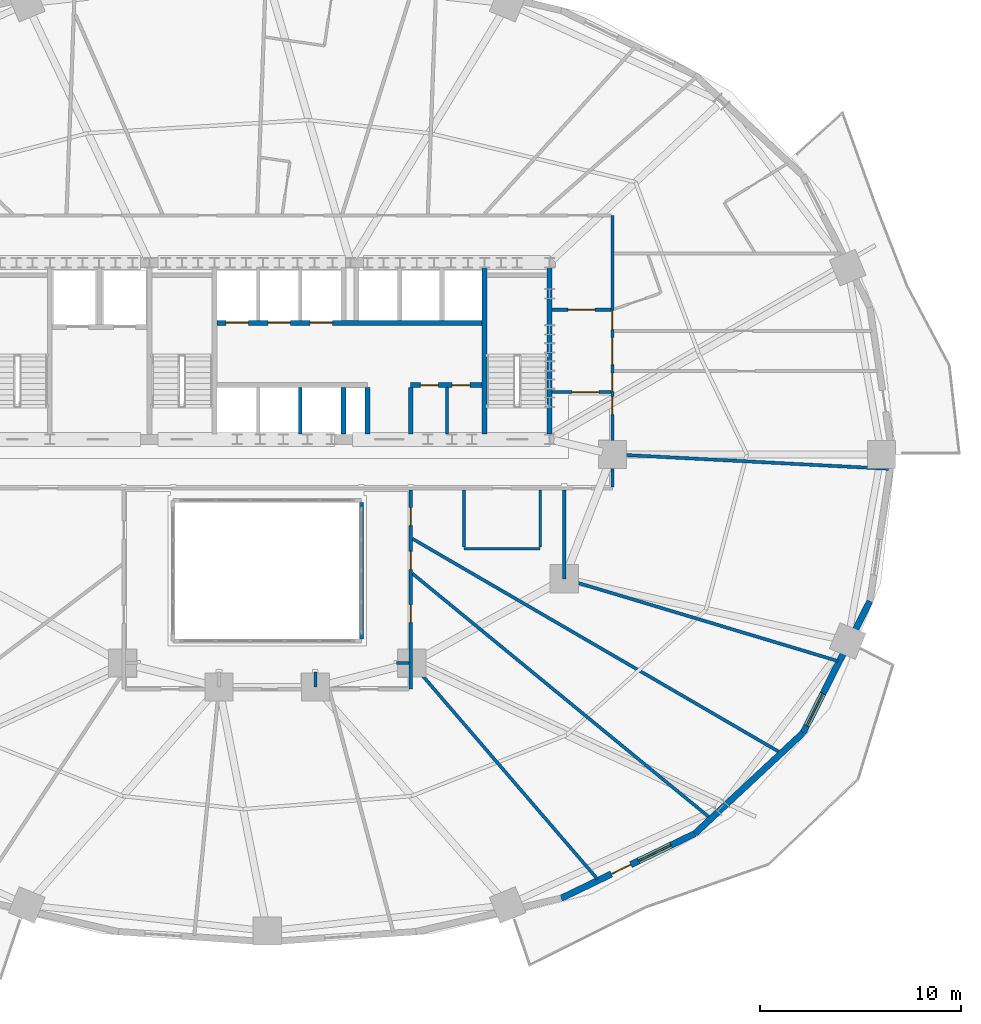
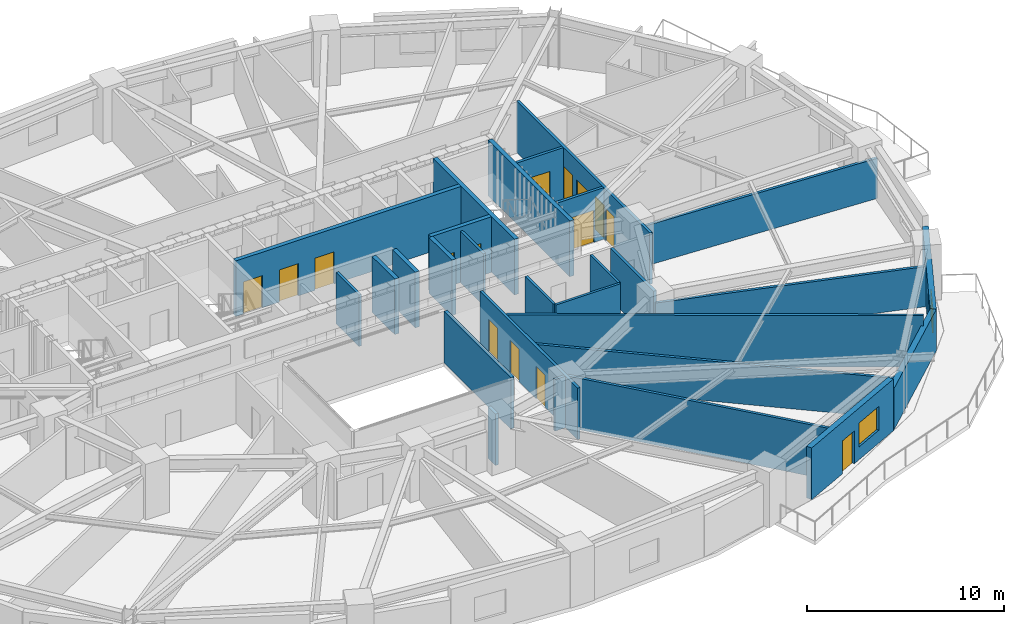
# One storey, part 11 of 17: 28 walls, 15 doors, 2 windows, 17 openings.
"""IFC4 building model written with IfcOpenShell, lengths in metres."""

from ifc_helpers import new_model, si_unit, direction, frame, frame_2d, origin, place, context, subcontext, project, spatial, rectangle, extrude, material, layer, layer_set, type_object, element, fill, save


model = new_model("IFC4")

# Units and contexts
model_context = context("Model", 3, precision=1e-05, world=origin(), true_north=direction((0.0, 1.0)))
body_context = subcontext(model_context, "Body", "Model", "MODEL_VIEW")
ifc_project = project(units=[si_unit("LENGTHUNIT", "METRE"), si_unit("AREAUNIT", "SQUARE_METRE"), si_unit("VOLUMEUNIT", "CUBIC_METRE"), si_unit("PLANEANGLEUNIT", "RADIAN"), si_unit("MASSUNIT", "GRAM", prefix="KILO")], contexts=[model_context])

# Site, building, storey
site_placement = place(None, origin())
site = spatial("IfcSite", under=ifc_project, at=site_placement, CompositionType="ELEMENT")
building_placement = place(site_placement, origin())
building = spatial("IfcBuilding", under=site, at=building_placement, Name="Haldorwick Loom Tower", CompositionType="ELEMENT")
storey_placement = place(building_placement, frame((0.0, 0.0, 44.699951171875)))
storey = spatial("IfcBuildingStorey", under=building, at=storey_placement, Name="L11", CompositionType="ELEMENT", Elevation=44.699951171875)

# Wall, openings, door, window
ifc_material_1 = material(Name="Pressed Clay Face Brick and Insulated Masonry Backup Assembly", Category="masonry")
ifc_layer_1 = layer(ifc_material_1, 0.320068359375, Name="Pressed Clay Face Brick and Insulated Masonry Backup Assembly", Category="masonry")
ifc_layer_set_1 = layer_set([ifc_layer_1], Name="Pressed Clay Face Brick and Insulated Masonry Backup Assembly")
wall_type_1 = type_object("IfcWallType", Name="ARC-WL-EXT320", PredefinedType="STANDARD", material=ifc_layer_set_1)
wall_1_placement = place(storey_placement, frame((50.644775390625, 3.88427734375, 0.0), z_axis=(0.0, 0.0, 1.0), x_axis=(0.900295710431, 0.435278800057, 0.0)))
wall_1 = element("IfcWall", 1, at=wall_1_placement, inside=storey, type_object=wall_type_1, Name="L11 Brick Pier and Spandrel Wall 21", PredefinedType="STANDARD", context=body_context, shape_type="SweptSolid", body=[
    extrude(rectangle(XDim=7.39697265625, YDim=0.320068359375, at=frame_2d((3.698486328125, 0.0))), origin(), (0.0, 0.0, 1.0), 3.2099609375),
])
opening_1_placement = place(wall_1_placement, frame((2.77783203125, 0.0, 0.0)))
opening_1 = element("IfcOpeningElement", 2, at=opening_1_placement, cuts=wall_1, Name="Opening D-BL11", PredefinedType="OPENING", context=body_context, shape_type="SweptSolid", body=[
    extrude(rectangle(XDim=1.080078125, YDim=2.0400390625, at=frame_2d((0.5400390625, 1.02001953125))), frame((0.0, 0.169921875, 0.0), z_axis=(0.0, -1.0, 0.0), x_axis=(1.0, 0.0, 0.0)), (0.0, 0.0, 1.0), 0.340087890625),
])
opening_2_placement = place(wall_1_placement, frame((4.27783203125, 0.0, 0.800048828125)))
opening_2 = element("IfcOpeningElement", 3, at=opening_2_placement, cuts=wall_1, Name="Opening W-01", PredefinedType="OPENING", context=body_context, shape_type="SweptSolid", body=[
    extrude(rectangle(XDim=1.800048828125, YDim=1.47998046875, at=frame_2d((0.89990234375, 0.739990234375))), frame((0.0, 0.169921875, 0.0), z_axis=(0.0, -1.0, 0.0), x_axis=(1.0, 0.0, 0.0)), (0.0, 0.0, 1.0), 0.340087890625),
])
ifc_material_2 = material(Name="Thermally Broken Anodized Aluminium Curtain Wall Framing", Category="aluminium")
door_type_1 = type_object("IfcDoorType", Name="ARC-DR-BAL110", OperationType="NOTDEFINED", PredefinedType="DOOR", material=ifc_material_2)
door_1_placement = place(opening_1_placement, origin())
door_1 = element("IfcDoor", 4, at=door_1_placement, inside=storey, type_object=door_type_1, Name="L11 Outdoor Terrace Door SLB-L11-BAL_SE", OperationType="SINGLE_SWING_LEFT", OverallHeight=2.0400390625, OverallWidth=1.080078125, PredefinedType="DOOR", context=body_context, shape_type="SweptSolid", body=[
    extrude(rectangle(XDim=1.080078125, YDim=2.0400390625, at=frame_2d((0.5400390625, 1.02001953125))), frame((0.0, 0.02490234375, 0.0), z_axis=(0.0, -1.0, 0.0), x_axis=(1.0, 0.0, 0.0)), (0.0, 0.0, 1.0), 0.050048828125),
])
fill(opening_1, door_1)
ifc_material_3 = material(Name="Triple-Glazed Low-E Argon Insulated Glazing Unit", Category="glass")
window_type = type_object("IfcWindowType", Name="ARC-WIN-W180", PartitioningType="SINGLE_PANEL", PredefinedType="WINDOW", material=ifc_material_3)
window_1_placement = place(opening_2_placement, origin())
window_1 = element("IfcWindow", 5, at=window_1_placement, inside=storey, type_object=window_type, Name="L11 Deep-Set Zone 7A Window 21", OverallHeight=1.47998046875, OverallWidth=1.800048828125, PartitioningType="SINGLE_PANEL", PredefinedType="WINDOW", context=body_context, shape_type="SweptSolid", body=[
    extrude(rectangle(XDim=1.800048828125, YDim=1.47998046875, at=frame_2d((0.89990234375, 0.739990234375))), frame((0.0, 0.030029296875, 0.0), z_axis=(0.0, -1.0, 0.0), x_axis=(1.0, 0.0, 0.0)), (0.0, 0.0, 1.0), 0.06005859375),
])
fill(opening_2, window_1)

# Wall
wall_2_placement = place(storey_placement, frame((57.30419921875, 7.10400390625, 0.0), z_axis=(0.0, 0.0, 1.0), x_axis=(0.73176101237, 0.681561311091, 0.0)))
element("IfcWall", 6, at=wall_2_placement, inside=storey, type_object=wall_type_1, Name="L11 Brick Pier and Spandrel Wall 22", PredefinedType="STANDARD", context=body_context, shape_type="SweptSolid", body=[
    extrude(rectangle(XDim=7.3583984375, YDim=0.320068359375, at=frame_2d((3.67919921875, 0.0))), origin(), (0.0, 0.0, 1.0), 2.569091796875),
])

# Wall, opening, window
wall_3_placement = place(storey_placement, frame((62.688720703125, 12.119140625, 0.0), z_axis=(0.0, 0.0, 1.0), x_axis=(0.452950855928, 0.891535485617, 0.0)))
wall_3 = element("IfcWall", 7, at=wall_3_placement, inside=storey, type_object=wall_type_1, Name="L11 Brick Pier and Spandrel Wall 23", PredefinedType="STANDARD", context=body_context, shape_type="SweptSolid", body=[
    extrude(rectangle(XDim=7.3583984375, YDim=0.320068359375, at=frame_2d((3.67919921875, 0.0))), origin(), (0.0, 0.0, 1.0), 2.569091796875),
])
opening_3_placement = place(wall_3_placement, frame((0.400146484375, 0.0, 0.800048828125)))
opening_3 = element("IfcOpeningElement", 8, at=opening_3_placement, cuts=wall_3, Name="Opening W-01", PredefinedType="OPENING", context=body_context, shape_type="SweptSolid", body=[
    extrude(rectangle(XDim=1.800048828125, YDim=1.47998046875, at=frame_2d((0.89990234375, 0.739990234375))), frame((0.0, 0.169921875, 0.0), z_axis=(0.0, -1.0, 0.0), x_axis=(1.0, 0.0, 0.0)), (0.0, 0.0, 1.0), 0.340087890625),
])
window_2_placement = place(opening_3_placement, origin())
window_2 = element("IfcWindow", 9, at=window_2_placement, inside=storey, type_object=window_type, Name="L11 Deep-Set Zone 7A Window 23", OverallHeight=1.47998046875, OverallWidth=1.800048828125, PartitioningType="SINGLE_PANEL", PredefinedType="WINDOW", context=body_context, shape_type="SweptSolid", body=[
    extrude(rectangle(XDim=1.800048828125, YDim=1.47998046875, at=frame_2d((0.89990234375, 0.739990234375))), frame((0.0, 0.030029296875, 0.0), z_axis=(0.0, -1.0, 0.0), x_axis=(1.0, 0.0, 0.0)), (0.0, 0.0, 1.0), 0.06005859375),
])
fill(opening_3, window_2)

# Wall, openings, doors
ifc_material_4 = material(Name="Fire-Rated Type X Gypsum Stud Assembly EI 60")
ifc_layer_2 = layer(ifc_material_4, 0.159912109375, Name="Fire-Rated Type X Gypsum Stud Assembly EI 60")
ifc_layer_set_2 = layer_set([ifc_layer_2], Name="Fire-Rated Type X Gypsum Stud Assembly EI 60")
wall_type_2 = type_object("IfcWallType", Name="ARC-WL-FIRE160", PredefinedType="PARTITIONING", material=ifc_layer_set_2)
wall_4_placement = place(storey_placement, frame((53.199951171875, 24.383056640625, 0.0), z_axis=(0.0, 0.0, 1.0), x_axis=(0.0, 1.0, 0.0)))
wall_4 = element("IfcWall", 10, at=wall_4_placement, inside=storey, type_object=wall_type_2, Name="L11 Residential Fire Partition L11-CR-E0", PredefinedType="PARTITIONING", context=body_context, shape_type="SweptSolid", body=[
    extrude(rectangle(XDim=13.516845703125, YDim=0.159912109375, at=frame_2d((6.75830078125, 0.0))), origin(), (0.0, 0.0, 1.0), 3.195068359375),
])
opening_4_placement = place(wall_4_placement, frame((6.08349609375, 0.0, 0.0)))
opening_4 = element("IfcOpeningElement", 11, at=opening_4_placement, cuts=wall_4, Name="Opening D-CR15", PredefinedType="OPENING", context=body_context, shape_type="SweptSolid", body=[
    extrude(rectangle(XDim=1.35009765625, YDim=2.0, at=frame_2d((0.675048828125, 1.0))), frame((0.0, 0.08984375, 0.0), z_axis=(0.0, -1.0, 0.0), x_axis=(1.0, 0.0, 0.0)), (0.0, 0.0, 1.0), 0.179931640625),
])
opening_5_placement = place(wall_4_placement, frame((3.5908203125, 0.0, 0.0)))
opening_5 = element("IfcOpeningElement", 12, at=opening_5_placement, cuts=wall_4, Name="Opening D-FD60A", PredefinedType="OPENING", context=body_context, shape_type="SweptSolid", body=[
    extrude(rectangle(XDim=0.89990234375, YDim=2.0, at=frame_2d((0.449951171875, 1.0))), frame((0.0, 0.08984375, 0.0), z_axis=(0.0, -1.0, 0.0), x_axis=(1.0, 0.0, 0.0)), (0.0, 0.0, 1.0), 0.179931640625),
])
opening_6_placement = place(wall_4_placement, frame((4.75732421875, 0.0, 0.0)))
opening_6 = element("IfcOpeningElement", 13, at=opening_6_placement, cuts=wall_4, Name="Opening D-FD60A", PredefinedType="OPENING", context=body_context, shape_type="SweptSolid", body=[
    extrude(rectangle(XDim=0.89990234375, YDim=2.0, at=frame_2d((0.449951171875, 1.0))), frame((0.0, 0.08984375, 0.0), z_axis=(0.0, -1.0, 0.0), x_axis=(1.0, 0.0, 0.0)), (0.0, 0.0, 1.0), 0.179931640625),
])
opening_7_placement = place(wall_4_placement, frame((7.834716796875, 0.0, 0.0)))
opening_7 = element("IfcOpeningElement", 14, at=opening_7_placement, cuts=wall_4, Name="Opening D-FL95", PredefinedType="OPENING", context=body_context, shape_type="SweptSolid", body=[
    extrude(rectangle(XDim=0.949951171875, YDim=2.0400390625, at=frame_2d((0.47509765625, 1.02001953125))), frame((0.0, 0.08984375, 0.0), z_axis=(0.0, -1.0, 0.0), x_axis=(1.0, 0.0, 0.0)), (0.0, 0.0, 1.0), 0.179931640625),
])
ifc_material_5 = material(Name="Thermally Broken Anodized Aluminium and Tempered Glass", Category="aluminium")
door_type_2 = type_object("IfcDoorType", Name="ARC-DR-COR150", OperationType="NOTDEFINED", PredefinedType="DOOR", material=ifc_material_5)
door_2_placement = place(opening_4_placement, origin())
door_2 = element("IfcDoor", 15, at=door_2_placement, inside=storey, type_object=door_type_2, Name="L11 L11 East Residential Corridor to L11 East Daylight Corridor Door", OperationType="DOUBLE_DOOR_SINGLE_SWING", OverallHeight=2.0, OverallWidth=1.35009765625, PredefinedType="DOOR", context=body_context, shape_type="SweptSolid", body=[
    extrude(rectangle(XDim=1.35009765625, YDim=2.0, at=frame_2d((0.675048828125, 1.0))), frame((0.0, 0.02490234375, 0.0), z_axis=(0.0, -1.0, 0.0), x_axis=(1.0, 0.0, 0.0)), (0.0, 0.0, 1.0), 0.050048828125),
])
fill(opening_4, door_2)
ifc_material_6 = material(Name="Hollow Steel Fire Door Assembly", Category="steel")
door_type_3 = type_object("IfcDoorType", Name="ARC-DR-FD60-90", OperationType="NOTDEFINED", PredefinedType="DOOR", material=ifc_material_6)
door_3_placement = place(opening_5_placement, origin())
door_3 = element("IfcDoor", 16, at=door_3_placement, inside=storey, type_object=door_type_3, Name="L11 L11 Central Residential Corridor to Tenant Seminar Room 2 Door", OperationType="SINGLE_SWING_LEFT", OverallHeight=2.0, OverallWidth=0.89990234375, PredefinedType="DOOR", context=body_context, shape_type="SweptSolid", body=[
    extrude(rectangle(XDim=0.89990234375, YDim=2.0, at=frame_2d((0.449951171875, 1.0))), frame((0.0, 0.02490234375, 0.0), z_axis=(0.0, -1.0, 0.0), x_axis=(1.0, 0.0, 0.0)), (0.0, 0.0, 1.0), 0.050048828125),
])
fill(opening_5, door_3)
door_4_placement = place(opening_6_placement, origin())
door_4 = element("IfcDoor", 17, at=door_4_placement, inside=storey, type_object=door_type_3, Name="L11 L11 East Residential Corridor to Tenant Seminar Room 2 Door", OperationType="SINGLE_SWING_LEFT", OverallHeight=2.0, OverallWidth=0.89990234375, PredefinedType="DOOR", context=body_context, shape_type="SweptSolid", body=[
    extrude(rectangle(XDim=0.89990234375, YDim=2.0, at=frame_2d((0.449951171875, 1.0))), frame((0.0, 0.02490234375, 0.0), z_axis=(0.0, -1.0, 0.0), x_axis=(1.0, 0.0, 0.0)), (0.0, 0.0, 1.0), 0.050048828125),
])
fill(opening_6, door_4)
ifc_material_7 = material(Name="Solid Core Birch Architectural Door")
door_type_4 = type_object("IfcDoorType", Name="ARC-DR-FLAT95", OperationType="NOTDEFINED", PredefinedType="DOOR", material=ifc_material_7)
door_5_placement = place(opening_7_placement, origin())
door_5 = element("IfcDoor", 18, at=door_5_placement, inside=storey, type_object=door_type_4, Name="L11 L11 East Residential Corridor to Unit 11C Kitchen and Studio Living ", OperationType="SINGLE_SWING_RIGHT", OverallHeight=2.0400390625, OverallWidth=0.949951171875, PredefinedType="DOOR", context=body_context, shape_type="SweptSolid", body=[
    extrude(rectangle(XDim=0.949951171875, YDim=2.0400390625, at=frame_2d((0.47509765625, 1.02001953125))), frame((0.0, 0.02490234375, 0.0), z_axis=(0.0, -1.0, 0.0), x_axis=(1.0, 0.0, 0.0)), (0.0, 0.0, 1.0), 0.050048828125),
])
fill(opening_7, door_5)

# Wall, opening, door
wall_5_placement = place(storey_placement, frame((50.193115234375, 29.10009765625, 0.0), z_axis=(0.0, 0.0, 1.0), x_axis=(1.0, 0.0, 0.0)))
wall_5 = element("IfcWall", 19, at=wall_5_placement, inside=storey, type_object=wall_type_2, Name="L11 Residential Fire Partition L11-CR-ESJ", PredefinedType="PARTITIONING", context=body_context, shape_type="SweptSolid", body=[
    extrude(rectangle(XDim=2.923828125, YDim=0.159912109375, at=frame_2d((1.4619140625, 0.0))), origin(), (0.0, 0.0, 1.0), 3.195068359375),
])
opening_8_placement = place(wall_5_placement, frame((0.99560546875, 0.0, 0.0)))
opening_8 = element("IfcOpeningElement", 20, at=opening_8_placement, cuts=wall_5, Name="Opening D-CR15", PredefinedType="OPENING", context=body_context, shape_type="SweptSolid", body=[
    extrude(rectangle(XDim=1.35009765625, YDim=2.0, at=frame_2d((0.675048828125, 1.0))), frame((0.0, 0.08984375, 0.0), z_axis=(0.0, -1.0, 0.0), x_axis=(1.0, 0.0, 0.0)), (0.0, 0.0, 1.0), 0.179931640625),
])
door_6_placement = place(opening_8_placement, origin())
door_6 = element("IfcDoor", 21, at=door_6_placement, inside=storey, type_object=door_type_2, Name="L11 L11 East Residential Corridor to L11 Central Residential Corridor Do", OperationType="DOUBLE_DOOR_SINGLE_SWING", OverallHeight=2.0, OverallWidth=1.35009765625, PredefinedType="DOOR", context=body_context, shape_type="SweptSolid", body=[
    extrude(rectangle(XDim=1.35009765625, YDim=2.0, at=frame_2d((0.675048828125, 1.0))), frame((0.0, 0.02490234375, 0.0), z_axis=(0.0, -1.0, 0.0), x_axis=(1.0, 0.0, 0.0)), (0.0, 0.0, 1.0), 0.050048828125),
])
fill(opening_8, door_6)

wall_6_placement = place(storey_placement, frame((50.193115234375, 33.199951171875, 0.0), z_axis=(0.0, 0.0, 1.0), x_axis=(1.0, 0.0, 0.0)))
wall_6 = element("IfcWall", 22, at=wall_6_placement, inside=storey, type_object=wall_type_2, Name="L11 Residential Fire Partition L11-CR-ENJ", PredefinedType="PARTITIONING", context=body_context, shape_type="SweptSolid", body=[
    extrude(rectangle(XDim=2.923828125, YDim=0.159912109375, at=frame_2d((1.4619140625, 0.0))), origin(), (0.0, 0.0, 1.0), 3.195068359375),
])
opening_9_placement = place(wall_6_placement, frame((0.787109375, 0.0, 0.0)))
opening_9 = element("IfcOpeningElement", 23, at=opening_9_placement, cuts=wall_6, Name="Opening D-CR15", PredefinedType="OPENING", context=body_context, shape_type="SweptSolid", body=[
    extrude(rectangle(XDim=1.35009765625, YDim=2.0, at=frame_2d((0.675048828125, 1.0))), frame((0.0, 0.08984375, 0.0), z_axis=(0.0, -1.0, 0.0), x_axis=(1.0, 0.0, 0.0)), (0.0, 0.0, 1.0), 0.179931640625),
])
door_7_placement = place(opening_9_placement, origin())
door_7 = element("IfcDoor", 24, at=door_7_placement, inside=storey, type_object=door_type_2, Name="L11 L11 North Residential Corridor to L11 East Residential Corridor Door", OperationType="DOUBLE_DOOR_SINGLE_SWING", OverallHeight=2.0, OverallWidth=1.35009765625, PredefinedType="DOOR", context=body_context, shape_type="SweptSolid", body=[
    extrude(rectangle(XDim=1.35009765625, YDim=2.0, at=frame_2d((0.675048828125, 1.0))), frame((0.0, 0.02490234375, 0.0), z_axis=(0.0, -1.0, 0.0), x_axis=(1.0, 0.0, 0.0)), (0.0, 0.0, 1.0), 0.050048828125),
])
fill(opening_9, door_7)

# Wall, openings, doors
wall_7_placement = place(storey_placement, frame((43.14990234375, 14.300048828125, 0.0), z_axis=(0.0, 0.0, 1.0), x_axis=(0.0, 1.0, 0.0)))
wall_7 = element("IfcWall", 25, at=wall_7_placement, inside=storey, type_object=wall_type_2, Name="L11 Residential Fire Partition L11-CR-AE", PredefinedType="PARTITIONING", context=body_context, shape_type="SweptSolid", body=[
    extrude(rectangle(XDim=9.9169921875, YDim=0.159912109375, at=frame_2d((4.95849609375, 0.0))), origin(), (0.0, 0.0, 1.0), 3.195068359375),
])
opening_10_placement = place(wall_7_placement, frame((3.3134765625, 0.0, 0.0)))
opening_10 = element("IfcOpeningElement", 26, at=opening_10_placement, cuts=wall_7, Name="Opening D-FD60A", PredefinedType="OPENING", context=body_context, shape_type="SweptSolid", body=[
    extrude(rectangle(XDim=0.89990234375, YDim=2.0, at=frame_2d((0.449951171875, 1.0))), frame((0.0, 0.08984375, 0.0), z_axis=(0.0, -1.0, 0.0), x_axis=(1.0, 0.0, 0.0)), (0.0, 0.0, 1.0), 0.179931640625),
])
opening_11_placement = place(wall_7_placement, frame((8.144775390625, 0.0, 0.0)))
opening_11 = element("IfcOpeningElement", 27, at=opening_11_placement, cuts=wall_7, Name="Opening D-FD60A", PredefinedType="OPENING", context=body_context, shape_type="SweptSolid", body=[
    extrude(rectangle(XDim=0.89990234375, YDim=2.0, at=frame_2d((0.449951171875, 1.0))), frame((0.0, 0.08984375, 0.0), z_axis=(0.0, -1.0, 0.0), x_axis=(1.0, 0.0, 0.0)), (0.0, 0.0, 1.0), 0.179931640625),
])
opening_12_placement = place(wall_7_placement, frame((5.962646484375, 0.0, 0.0)))
opening_12 = element("IfcOpeningElement", 28, at=opening_12_placement, cuts=wall_7, Name="Opening D-FD60A", PredefinedType="OPENING", context=body_context, shape_type="SweptSolid", body=[
    extrude(rectangle(XDim=0.89990234375, YDim=2.0, at=frame_2d((0.449951171875, 1.0))), frame((0.0, 0.08984375, 0.0), z_axis=(0.0, -1.0, 0.0), x_axis=(1.0, 0.0, 0.0)), (0.0, 0.0, 1.0), 0.179931640625),
])
door_8_placement = place(opening_10_placement, origin())
door_8 = element("IfcDoor", 29, at=door_8_placement, inside=storey, type_object=door_type_3, Name="L11 L11 South Atrium Corridor to Community Teaching Classroom 11 Door", OperationType="SINGLE_SWING_LEFT", OverallHeight=2.0, OverallWidth=0.89990234375, PredefinedType="DOOR", context=body_context, shape_type="SweptSolid", body=[
    extrude(rectangle(XDim=0.89990234375, YDim=2.0, at=frame_2d((0.449951171875, 1.0))), frame((0.0, 0.02490234375, 0.0), z_axis=(0.0, -1.0, 0.0), x_axis=(1.0, 0.0, 0.0)), (0.0, 0.0, 1.0), 0.050048828125),
])
fill(opening_10, door_8)
door_9_placement = place(opening_11_placement, origin())
door_9 = element("IfcDoor", 30, at=door_9_placement, inside=storey, type_object=door_type_3, Name="L11 L11 South Atrium Corridor to Tenant Meeting Room 1 Door", OperationType="SINGLE_SWING_LEFT", OverallHeight=2.0, OverallWidth=0.89990234375, PredefinedType="DOOR", context=body_context, shape_type="SweptSolid", body=[
    extrude(rectangle(XDim=0.89990234375, YDim=2.0, at=frame_2d((0.449951171875, 1.0))), frame((0.0, 0.02490234375, 0.0), z_axis=(0.0, -1.0, 0.0), x_axis=(1.0, 0.0, 0.0)), (0.0, 0.0, 1.0), 0.050048828125),
])
fill(opening_11, door_9)
door_10_placement = place(opening_12_placement, origin())
door_10 = element("IfcDoor", 31, at=door_10_placement, inside=storey, type_object=door_type_3, Name="L11 L11 South Atrium Corridor to Community Teaching Classroom 17 Door", OperationType="SINGLE_SWING_RIGHT", OverallHeight=2.0, OverallWidth=0.89990234375, PredefinedType="DOOR", context=body_context, shape_type="SweptSolid", body=[
    extrude(rectangle(XDim=0.89990234375, YDim=2.0, at=frame_2d((0.449951171875, 1.0))), frame((0.0, 0.02490234375, 0.0), z_axis=(0.0, -1.0, 0.0), x_axis=(1.0, 0.0, 0.0)), (0.0, 0.0, 1.0), 0.050048828125),
])
fill(opening_12, door_10)

# Walls
wall_8_placement = place(storey_placement, frame((53.282958984375, 25.99560546875, 0.0), z_axis=(0.0, 0.0, 1.0), x_axis=(0.998629572969, -0.052335227072, 0.0)))
element("IfcWall", 32, at=wall_8_placement, inside=storey, type_object=wall_type_2, Name="L11 Residential Fire Partition L11-ICR-01", PredefinedType="PARTITIONING", context=body_context, shape_type="SweptSolid", body=[
    extrude(rectangle(XDim=13.6962890625, YDim=0.159912109375, at=frame_2d((6.84814453125, 0.0))), origin(), (0.0, 0.0, 1.0), 2.489990234375),
])
wall_9_placement = place(storey_placement, frame((50.800048828125, 19.800048828125, 0.0), z_axis=(0.0, 0.0, 1.0), x_axis=(0.957673245776, -0.287857524351, 0.0)))
element("IfcWall", 33, at=wall_9_placement, inside=storey, type_object=wall_type_2, Name="L11 Residential Fire Partition L11-ICR-03", PredefinedType="PARTITIONING", context=body_context, shape_type="SweptSolid", body=[
    extrude(rectangle(XDim=14.238525390625, YDim=0.159912109375, at=frame_2d((7.119140625, 0.0))), origin(), (0.0, 0.0, 1.0), 2.489990234375),
])
wall_10_placement = place(storey_placement, frame((43.23291015625, 15.5615234375, 0.0), z_axis=(0.0, 0.0, 1.0), x_axis=(0.652038078605, -0.758186219902, 0.0)))
element("IfcWall", 34, at=wall_10_placement, inside=storey, type_object=wall_type_2, Name="L11 Residential Fire Partition L11-ICR-05", PredefinedType="PARTITIONING", context=body_context, shape_type="SweptSolid", body=[
    extrude(rectangle(XDim=14.149658203125, YDim=0.159912109375, at=frame_2d((7.07470703125, 0.0))), origin(), (0.0, 0.0, 1.0), 3.195068359375),
])
wall_11_placement = place(storey_placement, frame((50.800048828125, 24.217041015625, 0.0), z_axis=(0.0, 0.0, 1.0), x_axis=(0.0, -1.0, 0.0)))
element("IfcWall", 35, at=wall_11_placement, inside=storey, type_object=wall_type_2, Name="L11 Residential Fire Partition L11-ICA-02", PredefinedType="PARTITIONING", context=body_context, shape_type="SweptSolid", body=[
    extrude(rectangle(XDim=4.4169921875, YDim=0.159912109375, at=frame_2d((2.20849609375, 0.0))), origin(), (0.0, 0.0, 1.0), 3.195068359375),
])
wall_12_placement = place(storey_placement, frame((42.449951171875, 15.60009765625, 0.0), z_axis=(0.0, 0.0, 1.0), x_axis=(1.0, 0.0, 0.0)))
element("IfcWall", 36, at=wall_12_placement, inside=storey, type_object=wall_type_2, Name="L11 Residential Fire Partition L11-ICA-04", PredefinedType="PARTITIONING", context=body_context, shape_type="SweptSolid", body=[
    extrude(rectangle(XDim=0.616943359375, YDim=0.159912109375, at=frame_2d((0.30859375, 0.0))), origin(), (0.0, 0.0, 1.0), 3.195068359375),
])
wall_13_placement = place(storey_placement, frame((38.39990234375, 15.14990234375, 0.0), z_axis=(0.0, 0.0, 1.0), x_axis=(0.0, -1.0, 0.0)))
element("IfcWall", 37, at=wall_13_placement, inside=storey, type_object=wall_type_2, Name="L11 Residential Fire Partition L11-ICA-06", PredefinedType="PARTITIONING", context=body_context, shape_type="SweptSolid", body=[
    extrude(rectangle(XDim=0.75, YDim=0.159912109375, at=frame_2d((0.375, 0.0))), origin(), (0.0, 0.0, 1.0), 3.195068359375),
])
wall_14_placement = place(storey_placement, frame((43.23291015625, 21.796142578125, 0.0), z_axis=(0.0, 0.0, 1.0), x_axis=(0.864574362114, -0.502504897862, 0.0)))
element("IfcWall", 38, at=wall_14_placement, inside=storey, type_object=wall_type_2, Name="L11 Suite Split Wall", PredefinedType="PARTITIONING", context=body_context, shape_type="SweptSolid", body=[
    extrude(rectangle(XDim=21.188232421875, YDim=0.159912109375, at=frame_2d((10.59423828125, 0.0))), origin(), (0.0, 0.0, 1.0), 3.195068359375),
])
wall_15_placement = place(storey_placement, frame((43.23291015625, 20.0615234375, 0.0), z_axis=(0.0, 0.0, 1.0), x_axis=(0.772891023515, -0.634538781927, 0.0)))
element("IfcWall", 39, at=wall_15_placement, inside=storey, type_object=wall_type_2, Name="L11 Suite Split Wall", PredefinedType="PARTITIONING", context=body_context, shape_type="SweptSolid", body=[
    extrude(rectangle(XDim=19.177978515625, YDim=0.159912109375, at=frame_2d((9.5888671875, 0.0))), origin(), (0.0, 0.0, 1.0), 2.489990234375),
])
ifc_material_8 = material(Name="Fire-Rated Type X Gypsum Stud Assembly EI 120")
ifc_layer_3 = layer(ifc_material_8, 0.199951171875, Name="Fire-Rated Type X Gypsum Stud Assembly EI 120")
ifc_layer_set_3 = layer_set([ifc_layer_3], Name="Fire-Rated Type X Gypsum Stud Assembly EI 120")
wall_type_3 = type_object("IfcWallType", Name="ARC-WL-FIRE200", PredefinedType="PARTITIONING", material=ifc_layer_set_3)
wall_16_placement = place(storey_placement, frame((40.699951171875, 23.596923828125, 0.0), z_axis=(0.0, 0.0, 1.0), x_axis=(0.0, -1.0, 0.0)))
element("IfcWall", 40, at=wall_16_placement, inside=storey, type_object=wall_type_3, Name="L11 Atrium Fire Enclosure Wall E", PredefinedType="PARTITIONING", context=body_context, shape_type="SweptSolid", body=[
    extrude(rectangle(XDim=6.7939453125, YDim=0.199951171875, at=frame_2d((3.39697265625, 0.0))), origin(), (0.0, 0.0, 1.0), 3.195068359375),
])
ifc_layer_4 = layer(ifc_material_4, 0.139892578125, Name="Fire-Rated Type X Gypsum Stud Assembly EI 60")
ifc_layer_set_4 = layer_set([ifc_layer_4], Name="Fire-Rated Type X Gypsum Stud Assembly EI 60")
wall_type_4 = type_object("IfcWallType", Name="ARC-WL-PART140", PredefinedType="PARTITIONING", material=ifc_layer_set_4)
wall_17_placement = place(storey_placement, frame((44.949951171875, 27.0029296875, 0.0), z_axis=(0.0, 0.0, 1.0), x_axis=(0.0, 1.0, 0.0)))
element("IfcWall", 41, at=wall_17_placement, inside=storey, type_object=wall_type_4, Name="L11 Service Partition", PredefinedType="PARTITIONING", context=body_context, shape_type="SweptSolid", body=[
    extrude(rectangle(XDim=2.323974609375, YDim=0.139892578125, at=frame_2d((1.162109375, 0.0))), origin(), (0.0, 0.0, 1.0), 3.195068359375),
])
wall_18_placement = place(storey_placement, frame((45.800048828125, 21.300048828125, 0.0), z_axis=(0.0, 0.0, 1.0), x_axis=(1.0, 0.0, 0.0)))
element("IfcWall", 42, at=wall_18_placement, inside=storey, type_object=wall_type_4, Name="L11 Residential Fire Partition L11-CWC-S", PredefinedType="PARTITIONING", context=body_context, shape_type="SweptSolid", body=[
    extrude(rectangle(XDim=3.800048828125, YDim=0.139892578125, at=frame_2d((1.89990234375, 0.0))), origin(), (0.0, 0.0, 1.0), 3.195068359375),
])
for number, where, z_axis, x_axis, name in (
    (43, (45.800048828125, 21.373046875, 0.0), (0.0, 0.0, 1.0), (0.0, 1.0, 0.0), "L11 Residential Fire Partition L11-CWC-W"),
    (44, (49.60009765625, 21.373046875, 0.0), (0.0, 0.0, 1.0), (0.0, 1.0, 0.0), "L11 Residential Fire Partition L11-CWC-E"),
):
    element("IfcWall", number, at=place(storey_placement, frame(where, z_axis=z_axis, x_axis=x_axis)), inside=storey, type_object=wall_type_4, Name=name, PredefinedType="PARTITIONING", context=body_context, shape_type="SweptSolid", body=[
        extrude(rectangle(XDim=2.843994140625, YDim=0.139892578125, at=frame_2d((1.421875, 0.0))), origin(), (0.0, 0.0, 1.0), 3.195068359375),
    ])
ifc_layer_5 = layer(ifc_material_8, 0.1650390625, Name="Fire-Rated Type X Gypsum Stud Assembly EI 120")
ifc_layer_set_5 = layer_set([ifc_layer_5], Name="Fire-Rated Type X Gypsum Stud Assembly EI 120")
wall_type_5 = type_object("IfcWallType", Name="ARC-WL-SHAFT160", PredefinedType="MOVABLE", material=ifc_layer_set_5)
wall_19_placement = place(storey_placement, frame((37.64990234375, 27.0029296875, 0.0), z_axis=(0.0, 0.0, 1.0), x_axis=(0.0, 1.0, 0.0)))
element("IfcWall", 45, at=wall_19_placement, inside=storey, type_object=wall_type_5, Name="L11 Mid-Rise Hoistway Divider 2", PredefinedType="MOVABLE", context=body_context, shape_type="SweptSolid", body=[
    extrude(rectangle(XDim=2.323974609375, YDim=0.159912109375, at=frame_2d((1.162109375, 0.0))), origin(), (0.0, 0.0, 1.0), 3.195068359375),
])
ifc_material_9 = material(Name="Concrete C50 (50 MPa)", Category="concrete")
ifc_layer_6 = layer(ifc_material_9, 0.239990234375, Name="Concrete C50 (50 MPa)", Category="concrete")
ifc_layer_set_6 = layer_set([ifc_layer_6], Name="Concrete C50 (50 MPa)")
wall_type_6 = type_object("IfcWallType", Name="STR-WL-SHAFT240", PredefinedType="SHEAR", material=ifc_layer_set_6)
for number, where, z_axis, x_axis, name in (
    (46, (50.070068359375, 27.0029296875, 0.0), (0.0, 0.0, 1.0), (0.0, 1.0, 0.0), "L11 Core Shear Wall E"),
    (47, (46.830078125, 27.0029296875, 0.0), (0.0, 0.0, 1.0), (0.0, 1.0, 0.0), "L11 Core Shear Wall 4"),
):
    element("IfcWall", number, at=place(storey_placement, frame(where, z_axis=z_axis, x_axis=x_axis)), inside=storey, type_object=wall_type_6, Name=name, PredefinedType="SHEAR", context=body_context, shape_type="SweptSolid", body=[
        extrude(rectangle(XDim=8.294189453125, YDim=0.239990234375, at=frame_2d((4.14697265625, 0.0))), origin(), (0.0, 0.0, 1.0), 3.449951171875),
    ])

# Wall, openings, doors
wall_20_placement = place(storey_placement, frame((33.492919921875, 32.550048828125, 0.0), z_axis=(0.0, 0.0, 1.0), x_axis=(1.0, 0.0, 0.0)))
wall_20 = element("IfcWall", 48, at=wall_20_placement, inside=storey, type_object=wall_type_6, Name="L11 Core Shear Wall LN", PredefinedType="SHEAR", context=body_context, shape_type="SweptSolid", body=[
    extrude(rectangle(XDim=13.214111328125, YDim=0.239990234375, at=frame_2d((6.60693359375, 0.0))), origin(), (0.0, 0.0, 1.0), 3.449951171875),
])
opening_13_placement = place(wall_20_placement, frame((0.447021484375, 0.0, 0.0)))
opening_13 = element("IfcOpeningElement", 49, at=opening_13_placement, cuts=wall_20, Name="Opening LD-L1", PredefinedType="OPENING", context=body_context, shape_type="SweptSolid", body=[
    extrude(rectangle(XDim=1.1201171875, YDim=2.0, at=frame_2d((0.56005859375, 1.0))), frame((0.0, 0.1298828125, 0.0), z_axis=(0.0, -1.0, 0.0), x_axis=(1.0, 0.0, 0.0)), (0.0, 0.0, 1.0), 0.260009765625),
])
opening_14_placement = place(wall_20_placement, frame((2.547119140625, 0.0, 0.0)))
opening_14 = element("IfcOpeningElement", 50, at=opening_14_placement, cuts=wall_20, Name="Opening LD-L2", PredefinedType="OPENING", context=body_context, shape_type="SweptSolid", body=[
    extrude(rectangle(XDim=1.1201171875, YDim=2.0, at=frame_2d((0.56005859375, 1.0))), frame((0.0, 0.1298828125, 0.0), z_axis=(0.0, -1.0, 0.0), x_axis=(1.0, 0.0, 0.0)), (0.0, 0.0, 1.0), 0.260009765625),
])
opening_15_placement = place(wall_20_placement, frame((4.64697265625, 0.0, 0.0)))
opening_15 = element("IfcOpeningElement", 51, at=opening_15_placement, cuts=wall_20, Name="Opening LD-L3", PredefinedType="OPENING", context=body_context, shape_type="SweptSolid", body=[
    extrude(rectangle(XDim=1.1201171875, YDim=2.0, at=frame_2d((0.56005859375, 1.0))), frame((0.0, 0.1298828125, 0.0), z_axis=(0.0, -1.0, 0.0), x_axis=(1.0, 0.0, 0.0)), (0.0, 0.0, 1.0), 0.260009765625),
])
door_type_5 = type_object("IfcDoorType", Name="ARC-DR-LD-PAX", OperationType="NOTDEFINED", PredefinedType="USERDEFINED", material=ifc_material_6)
door_11_placement = place(opening_13_placement, origin())
door_11 = element("IfcDoor", 52, at=door_11_placement, inside=storey, type_object=door_type_5, Name="L11 Lift LF-L1 Sliding Landing Door", ObjectType="LANDING DOOR", OperationType="DOUBLE_DOOR_SLIDING", OverallHeight=2.0, OverallWidth=1.1201171875, PredefinedType="USERDEFINED", context=body_context, shape_type="SweptSolid", body=[
    extrude(rectangle(XDim=1.1201171875, YDim=2.0, at=frame_2d((0.56005859375, 1.0))), frame((0.0, 0.02490234375, 0.0), z_axis=(0.0, -1.0, 0.0), x_axis=(1.0, 0.0, 0.0)), (0.0, 0.0, 1.0), 0.050048828125),
])
fill(opening_13, door_11)
door_12_placement = place(opening_14_placement, origin())
door_12 = element("IfcDoor", 53, at=door_12_placement, inside=storey, type_object=door_type_5, Name="L11 Lift LF-L2 Sliding Landing Door", ObjectType="LANDING DOOR", OperationType="DOUBLE_DOOR_SLIDING", OverallHeight=2.0, OverallWidth=1.1201171875, PredefinedType="USERDEFINED", context=body_context, shape_type="SweptSolid", body=[
    extrude(rectangle(XDim=1.1201171875, YDim=2.0, at=frame_2d((0.56005859375, 1.0))), frame((0.0, 0.02490234375, 0.0), z_axis=(0.0, -1.0, 0.0), x_axis=(1.0, 0.0, 0.0)), (0.0, 0.0, 1.0), 0.050048828125),
])
fill(opening_14, door_12)
door_13_placement = place(opening_15_placement, origin())
door_13 = element("IfcDoor", 54, at=door_13_placement, inside=storey, type_object=door_type_5, Name="L11 Lift LF-L3 Sliding Landing Door", ObjectType="LANDING DOOR", OperationType="DOUBLE_DOOR_SLIDING", OverallHeight=2.0, OverallWidth=1.1201171875, PredefinedType="USERDEFINED", context=body_context, shape_type="SweptSolid", body=[
    extrude(rectangle(XDim=1.1201171875, YDim=2.0, at=frame_2d((0.56005859375, 1.0))), frame((0.0, 0.02490234375, 0.0), z_axis=(0.0, -1.0, 0.0), x_axis=(1.0, 0.0, 0.0)), (0.0, 0.0, 1.0), 0.050048828125),
])
fill(opening_15, door_13)

wall_21_placement = place(storey_placement, frame((43.14990234375, 29.449951171875, 0.0), z_axis=(0.0, 0.0, 1.0), x_axis=(1.0, 0.0, 0.0)))
wall_21 = element("IfcWall", 55, at=wall_21_placement, inside=storey, type_object=wall_type_6, Name="L11 Core Shear Wall LS2", PredefinedType="SHEAR", context=body_context, shape_type="SweptSolid", body=[
    extrude(rectangle(XDim=3.55712890625, YDim=0.239990234375, at=frame_2d((1.778564453125, 0.0))), origin(), (0.0, 0.0, 1.0), 3.449951171875),
])
opening_16_placement = place(wall_21_placement, frame((0.47998046875, 0.0, 0.0)))
opening_16 = element("IfcOpeningElement", 56, at=opening_16_placement, cuts=wall_21, Name="Opening D-FD60A", PredefinedType="OPENING", context=body_context, shape_type="SweptSolid", body=[
    extrude(rectangle(XDim=0.89990234375, YDim=2.0, at=frame_2d((0.449951171875, 1.0))), frame((0.0, 0.1298828125, 0.0), z_axis=(0.0, -1.0, 0.0), x_axis=(1.0, 0.0, 0.0)), (0.0, 0.0, 1.0), 0.260009765625),
])
opening_17_placement = place(wall_21_placement, frame((2.050048828125, 0.0, 0.0)))
opening_17 = element("IfcOpeningElement", 57, at=opening_17_placement, cuts=wall_21, Name="Opening D-FD60A", PredefinedType="OPENING", context=body_context, shape_type="SweptSolid", body=[
    extrude(rectangle(XDim=0.89990234375, YDim=2.0, at=frame_2d((0.449951171875, 1.0))), frame((0.0, 0.1298828125, 0.0), z_axis=(0.0, -1.0, 0.0), x_axis=(1.0, 0.0, 0.0)), (0.0, 0.0, 1.0), 0.260009765625),
])
door_14_placement = place(opening_16_placement, origin())
door_14 = element("IfcDoor", 58, at=door_14_placement, inside=storey, type_object=door_type_3, Name="L11 Electrical Room Door", OperationType="SINGLE_SWING_LEFT", OverallHeight=2.0, OverallWidth=0.89990234375, PredefinedType="DOOR", context=body_context, shape_type="SweptSolid", body=[
    extrude(rectangle(XDim=0.89990234375, YDim=2.0, at=frame_2d((0.449951171875, 1.0))), frame((0.0, 0.02490234375, 0.0), z_axis=(0.0, -1.0, 0.0), x_axis=(1.0, 0.0, 0.0)), (0.0, 0.0, 1.0), 0.050048828125),
])
fill(opening_16, door_14)
door_15_placement = place(opening_17_placement, origin())
door_15 = element("IfcDoor", 59, at=door_15_placement, inside=storey, type_object=door_type_3, Name="L11 Cleaner's Store Door", OperationType="SINGLE_SWING_LEFT", OverallHeight=2.0, OverallWidth=0.89990234375, PredefinedType="DOOR", context=body_context, shape_type="SweptSolid", body=[
    extrude(rectangle(XDim=0.89990234375, YDim=2.0, at=frame_2d((0.449951171875, 1.0))), frame((0.0, 0.02490234375, 0.0), z_axis=(0.0, -1.0, 0.0), x_axis=(1.0, 0.0, 0.0)), (0.0, 0.0, 1.0), 0.050048828125),
])
fill(opening_17, door_15)

# Walls
for number, where, z_axis, x_axis, name in (
    (60, (41.0, 27.0029296875, 0.0), (0.0, 0.0, 1.0), (0.0, 1.0, 0.0), "L11 Core Shear Wall THW"),
    (61, (43.14990234375, 27.0029296875, 0.0), (0.0, 0.0, 1.0), (0.0, 1.0, 0.0), "L11 Core Shear Wall THE"),
    (62, (39.800048828125, 27.0029296875, 0.0), (0.0, 0.0, 1.0), (0.0, 1.0, 0.0), "L11 Core Shear Wall MRW"),
):
    element("IfcWall", number, at=place(storey_placement, frame(where, z_axis=z_axis, x_axis=x_axis)), inside=storey, type_object=wall_type_6, Name=name, PredefinedType="SHEAR", context=body_context, shape_type="SweptSolid", body=[
        extrude(rectangle(XDim=2.323974609375, YDim=0.239990234375, at=frame_2d((1.162109375, 0.0))), origin(), (0.0, 0.0, 1.0), 3.449951171875),
    ])

save(model, "model.ifc")
